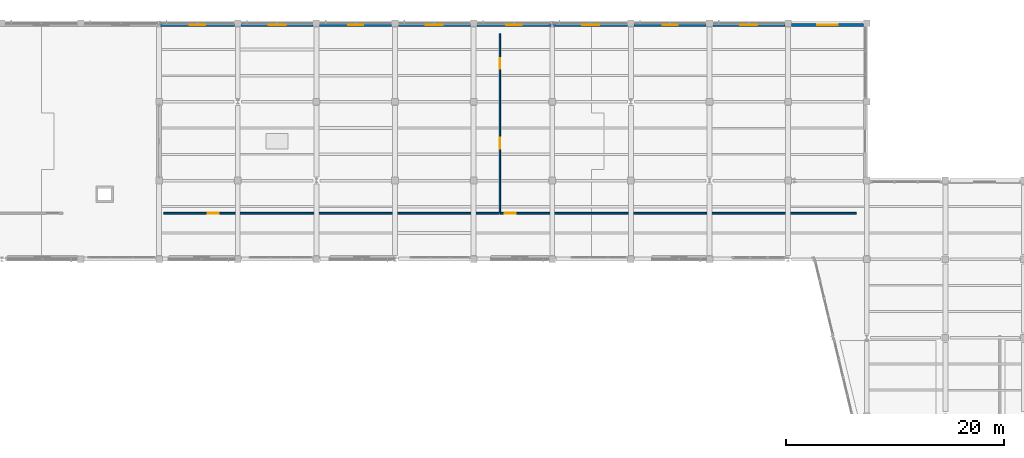
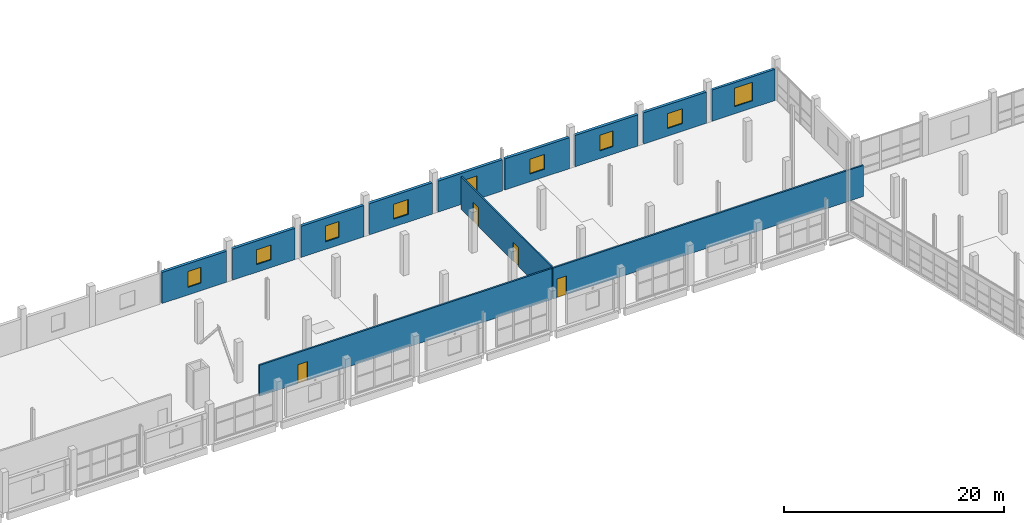
# One storey, part 96 of 123: 12 walls, 9 windows, 4 doors, 13 openings.
"""IFC4 building model written with IfcOpenShell, lengths in metres."""

import ifcopenshell
import ifcopenshell.guid

model = None  # the IFC model being written
_history = None  # IfcOwnerHistory: only IFC2X3 demands one
_inside = {}  # id of a spatial element -> (the spatial element, [elements in it])
_under = {}  # id of a project, library or spatial element -> (it, [spatial elements below it])
_declared = {}  # id of a project -> (the project, [libraries it declares])
_typed = {}  # id of a type object -> (the type object, [elements of that type])
_made_of = {}  # id of a material, layer set ... -> (it, [elements and type objects made of it])


def new_model(schema):
    """Start an empty IFC model of exactly this schema.

    Asked for "IFC4X3", IfcOpenShell would pick the latest addendum, in which some entities
    have other attributes; the version numbers below select the first issue.
    IFC2X3 requires an IfcOwnerHistory on every rooted entity: one is made here for all.
    """
    global model, _history
    if schema == "IFC4X3":
        model = ifcopenshell.file(schema_version=(4, 3, 0, 0))
    else:
        model = ifcopenshell.file(schema=schema)
    _inside.clear()
    _under.clear()
    _declared.clear()
    _typed.clear()
    _made_of.clear()
    _history = None
    if model.schema == "IFC2X3":
        org = make("IfcOrganization", Name="unknown")
        user = make(
            "IfcPersonAndOrganization",
            ThePerson=make("IfcPerson", FamilyName="unknown"),
            TheOrganization=org,
        )
        app = make(
            "IfcApplication",
            ApplicationDeveloper=org,
            Version="unknown",
            ApplicationFullName="unknown",
            ApplicationIdentifier="unknown",
        )
        _history = make(
            "IfcOwnerHistory",
            OwningUser=user,
            OwningApplication=app,
            ChangeAction="ADDED",
            CreationDate=0,
        )
    return model


def make(cls, **values):
    """One entity of the class cls with the attributes given. An attribute that is None is left unset."""
    return model.create_entity(
        cls, **{name: value for name, value in values.items() if value is not None}
    )


def rooted(cls, **values):
    """An entity with a GlobalId (a new one), such as an element, a storey or a relation."""
    return make(cls, GlobalId=ifcopenshell.guid.new(), OwnerHistory=_history, **values)


def si_unit(unit_type, name, prefix=None):
    """IfcSIUnit, for example si_unit("LENGTHUNIT", "METRE", prefix="MILLI")."""
    return make("IfcSIUnit", UnitType=unit_type, Prefix=prefix, Name=name)


def assignment(units):
    """IfcUnitAssignment: the units of a project."""
    return None if units is None else make("IfcUnitAssignment", Units=units)


def point(xyz):
    """IfcCartesianPoint."""
    return None if xyz is None else make("IfcCartesianPoint", Coordinates=xyz)


def direction(xyz):
    """IfcDirection."""
    return None if xyz is None else make("IfcDirection", DirectionRatios=xyz)


def frame(location, z_axis=None, x_axis=None):
    """IfcAxis2Placement3D, a coordinate frame: its origin and axes. An axis left out is left unset."""
    return make(
        "IfcAxis2Placement3D",
        Location=point(location),
        Axis=direction(z_axis),
        RefDirection=direction(x_axis),
    )


def frame_2d(location, x_axis=None):
    """IfcAxis2Placement2D, a coordinate frame in the plane: its origin and x axis."""
    return make(
        "IfcAxis2Placement2D", Location=point(location), RefDirection=direction(x_axis)
    )


def origin():
    """The frame at (0, 0, 0) with its axes left unset."""
    return frame((0.0, 0.0, 0.0))


def place(relative_to, where):
    """IfcLocalPlacement: puts the frame where relative to a parent placement (None: the world)."""
    return make(
        "IfcLocalPlacement", PlacementRelTo=relative_to, RelativePlacement=where
    )


def context(
    kind, dimensions, precision=None, world=None, true_north=None, identifier=None
):
    """IfcGeometricRepresentationContext, for example the 3D "Model" context."""
    return make(
        "IfcGeometricRepresentationContext",
        ContextIdentifier=identifier,
        ContextType=kind,
        CoordinateSpaceDimension=dimensions,
        Precision=precision,
        WorldCoordinateSystem=world,
        TrueNorth=true_north,
    )


def subcontext(parent, identifier, kind, view, scale=None):
    """IfcGeometricRepresentationSubContext, for example "Body" below "Model"."""
    return make(
        "IfcGeometricRepresentationSubContext",
        ContextIdentifier=identifier,
        ContextType=kind,
        ParentContext=parent,
        TargetScale=scale,
        TargetView=view,
    )


def project(units=None, contexts=None):
    """IfcProject with its units and contexts."""
    return rooted(
        "IfcProject",
        Name="project",
        RepresentationContexts=contexts,
        UnitsInContext=assignment(units),
    )


def spatial(cls, under=None, at=None, **own):
    """A site, building, storey or space (cls), placed at a placement, below another one or the project."""
    s = rooted(cls, ObjectPlacement=at, **own)
    if under is not None:
        _under.setdefault(under.id(), (under, []))[1].append(s)
    return s


def profile(cls, at=None, kind="AREA", **sizes):
    """A parametric profile (cls). Its sizes go by their IFC names, for example OverallWidth=200.0."""
    return make(cls, ProfileType=kind, Position=at, **sizes)


def rectangle(**sizes):
    """IfcRectangleProfileDef."""
    return profile("IfcRectangleProfileDef", **sizes)


def extrude(swept, where, along, depth):
    """IfcExtrudedAreaSolid: the profile swept, set in the frame where, extruded along a direction by depth."""
    return make(
        "IfcExtrudedAreaSolid",
        SweptArea=swept,
        Position=where,
        ExtrudedDirection=direction(along),
        Depth=depth,
    )


def shape(context_of_items, identifier, shape_type, items):
    """IfcShapeRepresentation: the items that make up one representation, for example the "Body"."""
    return make(
        "IfcShapeRepresentation",
        ContextOfItems=context_of_items,
        RepresentationIdentifier=identifier,
        RepresentationType=shape_type,
        Items=items,
    )


def material(Name=None, Category=None):
    """IfcMaterial."""
    return make("IfcMaterial", Name=Name, Category=Category)


def layer(
    of_material, thickness, ventilated=None, Name=None, Category=None, Priority=None
):
    """IfcMaterialLayer: one layer of a wall or slab, of a material (None: an air gap)."""
    return make(
        "IfcMaterialLayer",
        Material=of_material,
        LayerThickness=thickness,
        IsVentilated=ventilated,
        Name=Name,
        Category=Category,
        Priority=Priority,
    )


def layer_set(layers, Name=None):
    """IfcMaterialLayerSet."""
    return make("IfcMaterialLayerSet", MaterialLayers=layers, LayerSetName=Name)


def made_of(thing, what):
    """Note that an element or type object is made of a material, layer set ...; save() writes the relation."""
    if what is not None:
        _made_of.setdefault(what.id(), (what, []))[1].append(thing)
    return thing


def type_object(cls, material=None, **own):
    """A type object (cls), such as IfcWallType, which elements share."""
    return made_of(rooted(cls, **own), material)


def element(
    cls,
    number,
    at=None,
    inside=None,
    cuts=None,
    type_object=None,
    material=None,
    context=None,
    identifier="Body",
    shape_type=None,
    held_by="IfcProductDefinitionShape",
    body=None,
    shapes=None,
    **own,
):
    """One element of the class cls, such as IfcWall. Its Tag is "e" and its number.

    at: its placement. inside: the storey or other place that contains it. cuts: it is an
    opening in that element (IfcRelVoidsElement). A single representation is given by context,
    identifier, shape_type and body (its items); several are given by shapes. held_by: the class
    of the entity that holds the representations. save() writes the other relations.
    """
    e = rooted(cls, Tag="e%d" % number, ObjectPlacement=at, **own)
    if body is not None:
        shapes = [shape(context, identifier, shape_type, body)]
    if shapes is not None:
        e.Representation = make(held_by, Representations=shapes)
    if inside is not None:
        _inside.setdefault(inside.id(), (inside, []))[1].append(e)
    if cuts is not None:
        rooted(
            "IfcRelVoidsElement", RelatingBuildingElement=cuts, RelatedOpeningElement=e
        )
    if type_object is not None:
        _typed.setdefault(type_object.id(), (type_object, []))[1].append(e)
    return made_of(e, material)


def fill(opening, filler):
    """IfcRelFillsElement: the door or window that sits in an opening."""
    return rooted(
        "IfcRelFillsElement",
        RelatingOpeningElement=opening,
        RelatedBuildingElement=filler,
    )


def aggregate(whole, parts):
    """IfcRelAggregates: a whole, such as a stair, and the parts it consists of."""
    return rooted("IfcRelAggregates", RelatingObject=whole, RelatedObjects=parts)


def save(model, path):
    """Write the relations noted so far, then the file.

    IfcRelAggregates (storeys below a building ...), IfcRelContainedInSpatialStructure (elements
    in a storey), IfcRelDefinesByType, IfcRelAssociatesMaterial and IfcRelDeclares: one each for
    every whole, place, type object, material and project.
    """
    for whole, parts in _under.values():
        aggregate(whole, parts)
    for where, things in _inside.values():
        rooted(
            "IfcRelContainedInSpatialStructure",
            RelatedElements=things,
            RelatingStructure=where,
        )
    for kind, things in _typed.values():
        rooted("IfcRelDefinesByType", RelatedObjects=things, RelatingType=kind)
    for what, things in _made_of.values():
        rooted("IfcRelAssociatesMaterial", RelatedObjects=things, RelatingMaterial=what)
    for by, libraries in _declared.values():
        rooted("IfcRelDeclares", RelatingContext=by, RelatedDefinitions=libraries)
    model.write(path)


model = new_model("IFC4")

# Units and contexts
model_context = context("Model", 3, precision=1e-05, world=origin(), true_north=direction((0.0, 1.0)))
body_context = subcontext(model_context, "Body", "Model", "MODEL_VIEW")
ifc_project = project(units=[si_unit("LENGTHUNIT", "METRE"), si_unit("AREAUNIT", "SQUARE_METRE"), si_unit("VOLUMEUNIT", "CUBIC_METRE"), si_unit("PLANEANGLEUNIT", "RADIAN"), si_unit("MASSUNIT", "GRAM", prefix="KILO")], contexts=[model_context])

# Site, building, storey
site_placement = place(None, origin())
site = spatial("IfcSite", under=ifc_project, at=site_placement, CompositionType="ELEMENT")
building_placement = place(site_placement, origin())
building = spatial("IfcBuilding", under=site, at=building_placement, Name="Kalmorath City Hall", CompositionType="ELEMENT")
storey_placement = place(building_placement, frame((0.0, 0.0, 10.199951171875)))
storey = spatial("IfcBuildingStorey", under=building, at=storey_placement, Name="L02", CompositionType="ELEMENT", Elevation=10.199951171875)

# Wall, openings, doors
ifc_material_1 = material(Name="Acoustic metal-stud gypsum partition")
ifc_layer_1 = layer(ifc_material_1, 0.14990234375)
ifc_layer_set_1 = layer_set([ifc_layer_1], Name="Acoustic metal-stud gypsum partition")
wall_type_1 = type_object("IfcWallType", Name="Departmental suite partition 150", PredefinedType="PARTITIONING", material=ifc_layer_set_1)
wall_1_placement = place(storey_placement, frame((96.0, 97.840087890625, 0.0), z_axis=(0.0, 0.0, 1.0), x_axis=(0.0, 1.0, 0.0)))
wall_1 = element("IfcWall", 1, at=wall_1_placement, inside=storey, type_object=wall_type_1, Name="L02 interior partition PW4 #121", PredefinedType="PARTITIONING", context=body_context, shape_type="SweptSolid", body=[
    extrude(rectangle(XDim=16.419921875, YDim=0.14990234375, at=frame_2d((8.2099609375, 0.0))), origin(), (0.0, 0.0, 1.0), 3.6181640625),
])
opening_1_placement = place(wall_1_placement, frame((13.177490234375, 0.0, 0.0)))
opening_1 = element("IfcOpeningElement", 2, at=opening_1_placement, cuts=wall_1, Name="Opening D-L02-202", PredefinedType="OPENING", context=body_context, shape_type="SweptSolid", body=[
    extrude(rectangle(XDim=1.0, YDim=2.10009765625, at=frame_2d((0.5, 1.050048828125))), frame((0.0, 0.0849609375, 0.0), z_axis=(0.0, -1.0, 0.0), x_axis=(1.0, 0.0, 0.0)), (0.0, 0.0, 1.0), 0.169921875),
])
opening_2_placement = place(wall_1_placement, frame((5.887451171875, 0.0, 0.0)))
opening_2 = element("IfcOpeningElement", 3, at=opening_2_placement, cuts=wall_1, Name="Opening D-L02-204", PredefinedType="OPENING", context=body_context, shape_type="SweptSolid", body=[
    extrude(rectangle(XDim=1.0, YDim=2.10009765625, at=frame_2d((0.5, 1.050048828125))), frame((0.0, 0.0849609375, 0.0), z_axis=(0.0, -1.0, 0.0), x_axis=(1.0, 0.0, 0.0)), (0.0, 0.0, 1.0), 0.169921875),
])
ifc_material_2 = material(Name="Hardwood fire door", Category="wood")
door_type = type_object("IfcDoorType", Name="Corridor 60-min fire door 1000x2100", OperationType="NOTDEFINED", PredefinedType="DOOR", material=ifc_material_2)
door_1_placement = place(opening_1_placement, origin())
door_1 = element("IfcDoor", 4, at=door_1_placement, inside=storey, type_object=door_type, Name="L02 door D-L02-202", OperationType="SINGLE_SWING_RIGHT", OverallHeight=2.10009765625, OverallWidth=1.0, PredefinedType="DOOR", context=body_context, shape_type="SweptSolid", body=[
    extrude(rectangle(XDim=1.0, YDim=2.10009765625, at=frame_2d((0.5, 1.050048828125))), frame((0.0, 0.02490234375, 0.0), z_axis=(0.0, -1.0, 0.0), x_axis=(1.0, 0.0, 0.0)), (0.0, 0.0, 1.0), 0.050048828125),
])
fill(opening_1, door_1)
door_2_placement = place(opening_2_placement, origin())
door_2 = element("IfcDoor", 5, at=door_2_placement, inside=storey, type_object=door_type, Name="L02 door D-L02-204", OperationType="SINGLE_SWING_RIGHT", OverallHeight=2.10009765625, OverallWidth=1.0, PredefinedType="DOOR", context=body_context, shape_type="SweptSolid", body=[
    extrude(rectangle(XDim=1.0, YDim=2.10009765625, at=frame_2d((0.5, 1.050048828125))), frame((0.0, 0.02490234375, 0.0), z_axis=(0.0, -1.0, 0.0), x_axis=(1.0, 0.0, 0.0)), (0.0, 0.0, 1.0), 0.050048828125),
])
fill(opening_2, door_2)

# Wall, opening, window
ifc_material_3 = material(Name="Precast concrete C40/50", Category="concrete")
ifc_layer_2 = layer(ifc_material_3, 0.27001953125)
ifc_layer_set_2 = layer_set([ifc_layer_2], Name="Precast concrete C40/50")
wall_type_2 = type_object("IfcWallType", Name="Library splayed facade wall 270", PredefinedType="SOLIDWALL", material=ifc_layer_set_2)
wall_2_placement = place(storey_placement, frame((122.700927734375, 115.0400390625, 0.0), z_axis=(0.0, 0.0, 1.0), x_axis=(1.0, 0.0, 0.0)))
wall_2 = element("IfcWall", 6, at=wall_2_placement, inside=storey, type_object=wall_type_2, Name="L02 library wall #445", PredefinedType="SOLIDWALL", context=body_context, shape_type="SweptSolid", body=[
    extrude(rectangle(XDim=6.59814453125, YDim=0.27001953125, at=frame_2d((3.299072265625, 0.0))), origin(), (0.0, 0.0, 1.0), 3.470947265625),
])
opening_3_placement = place(wall_2_placement, frame((2.34912109375, 0.0, 0.800048828125)))
opening_3 = element("IfcOpeningElement", 7, at=opening_3_placement, cuts=wall_2, Name="Opening WN14", PredefinedType="OPENING", context=body_context, shape_type="SweptSolid", body=[
    extrude(rectangle(XDim=1.89990234375, YDim=2.050048828125, at=frame_2d((0.949951171875, 1.02490234375))), frame((0.0, 0.14501953125, 0.0), z_axis=(0.0, -1.0, 0.0), x_axis=(1.0, 0.0, 0.0)), (0.0, 0.0, 1.0), 0.2900390625),
])
ifc_material_4 = material(Name="Bronze-anodised aluminium and glass", Category="aluminium")
window_type_1 = type_object("IfcWindowType", Name="Library reading alcove window 1900x2050", PartitioningType="SINGLE_PANEL", PredefinedType="WINDOW", material=ifc_material_4)
window_1_placement = place(opening_3_placement, origin())
window_1 = element("IfcWindow", 8, at=window_1_placement, inside=storey, type_object=window_type_1, Name="L02 window WN14-220", OverallHeight=2.050048828125, OverallWidth=1.89990234375, PartitioningType="SINGLE_PANEL", PredefinedType="WINDOW", context=body_context, shape_type="SweptSolid", body=[
    extrude(rectangle(XDim=1.89990234375, YDim=2.050048828125, at=frame_2d((0.949951171875, 1.02490234375))), frame((0.0, 0.030029296875, 0.0), z_axis=(0.0, -1.0, 0.0), x_axis=(1.0, 0.0, 0.0)), (0.0, 0.0, 1.0), 0.06005859375),
])
fill(opening_3, window_1)

# Wall, opening, door
ifc_material_5 = material(Name="Fire-rated acoustic gypsum partition")
ifc_layer_3 = layer(ifc_material_5, 0.179931640625)
ifc_layer_set_3 = layer_set([ifc_layer_3], Name="Fire-rated acoustic gypsum partition")
wall_type_3 = type_object("IfcWallType", Name="One-hour corridor fire partition 180", PredefinedType="PARTITIONING", material=ifc_layer_set_3)
wall_3_placement = place(storey_placement, frame((65.239990234375, 97.800048828125, 0.0), z_axis=(0.0, 0.0, 1.0), x_axis=(1.0, 0.0, 0.0)))
wall_3 = element("IfcWall", 9, at=wall_3_placement, inside=storey, type_object=wall_type_3, Name="L02 interior partition PW2 #116", PredefinedType="PARTITIONING", context=body_context, shape_type="SweptSolid", body=[
    extrude(rectangle(XDim=30.719970703125, YDim=0.179931640625, at=frame_2d((15.35986328125, 0.0))), origin(), (0.0, 0.0, 1.0), 3.450927734375),
])
opening_4_placement = place(wall_3_placement, frame((4.030029296875, 0.0, 0.0)))
opening_4 = element("IfcOpeningElement", 10, at=opening_4_placement, cuts=wall_3, Name="Opening D-L02-201", PredefinedType="OPENING", context=body_context, shape_type="SweptSolid", body=[
    extrude(rectangle(XDim=1.0, YDim=2.10009765625, at=frame_2d((0.5, 1.050048828125))), frame((0.0, 0.099853515625, 0.0), z_axis=(0.0, -1.0, 0.0), x_axis=(1.0, 0.0, 0.0)), (0.0, 0.0, 1.0), 0.199951171875),
])
door_3_placement = place(opening_4_placement, origin())
door_3 = element("IfcDoor", 11, at=door_3_placement, inside=storey, type_object=door_type, Name="L02 door D-L02-201", OperationType="SINGLE_SWING_LEFT", OverallHeight=2.10009765625, OverallWidth=1.0, PredefinedType="DOOR", context=body_context, shape_type="SweptSolid", body=[
    extrude(rectangle(XDim=1.0, YDim=2.10009765625, at=frame_2d((0.5, 1.050048828125))), frame((0.0, 0.02490234375, 0.0), z_axis=(0.0, -1.0, 0.0), x_axis=(1.0, 0.0, 0.0)), (0.0, 0.0, 1.0), 0.050048828125),
])
fill(opening_4, door_3)

wall_4_placement = place(storey_placement, frame((96.0400390625, 97.800048828125, 0.0), z_axis=(0.0, 0.0, 1.0), x_axis=(1.0, 0.0, 0.0)))
wall_4 = element("IfcWall", 12, at=wall_4_placement, inside=storey, type_object=wall_type_3, Name="L02 interior partition PW2 #117", PredefinedType="PARTITIONING", context=body_context, shape_type="SweptSolid", body=[
    extrude(rectangle(XDim=32.619873046875, YDim=0.179931640625, at=frame_2d((16.31005859375, 0.0))), origin(), (0.0, 0.0, 1.0), 3.450927734375),
])
opening_5_placement = place(wall_4_placement, frame((0.419921875, 0.0, 0.0)))
opening_5 = element("IfcOpeningElement", 13, at=opening_5_placement, cuts=wall_4, Name="Opening D-L02-203", PredefinedType="OPENING", context=body_context, shape_type="SweptSolid", body=[
    extrude(rectangle(XDim=1.0, YDim=2.10009765625, at=frame_2d((0.5, 1.050048828125))), frame((0.0, 0.099853515625, 0.0), z_axis=(0.0, -1.0, 0.0), x_axis=(1.0, 0.0, 0.0)), (0.0, 0.0, 1.0), 0.199951171875),
])
door_4_placement = place(opening_5_placement, origin())
door_4 = element("IfcDoor", 14, at=door_4_placement, inside=storey, type_object=door_type, Name="L02 door D-L02-203", OperationType="SINGLE_SWING_LEFT", OverallHeight=2.10009765625, OverallWidth=1.0, PredefinedType="DOOR", context=body_context, shape_type="SweptSolid", body=[
    extrude(rectangle(XDim=1.0, YDim=2.10009765625, at=frame_2d((0.5, 1.050048828125))), frame((0.0, 0.02490234375, 0.0), z_axis=(0.0, -1.0, 0.0), x_axis=(1.0, 0.0, 0.0)), (0.0, 0.0, 1.0), 0.050048828125),
])
fill(opening_5, door_4)

# Wall, opening, window
ifc_material_6 = material(Name="Concrete C40/50", Category="concrete")
ifc_layer_4 = layer(ifc_material_6, 0.300048828125)
ifc_layer_set_4 = layer_set([ifc_layer_4], Name="Concrete C40/50")
wall_type_4 = type_object("IfcWallType", Name="Volcanic basalt backup wall 300", PredefinedType="SOLIDWALL", material=ifc_layer_set_4)
wall_5_placement = place(storey_placement, frame((64.927978515625, 115.0400390625, 0.0), z_axis=(0.0, 0.0, 1.0), x_axis=(1.0, 0.0, 0.0)))
wall_5 = element("IfcWall", 15, at=wall_5_placement, inside=storey, type_object=wall_type_4, Name="L02 basalt wing wall #437", PredefinedType="SOLIDWALL", context=body_context, shape_type="SweptSolid", body=[
    extrude(rectangle(XDim=6.77099609375, YDim=0.300048828125, at=frame_2d((3.385498046875, 0.0))), origin(), (0.0, 0.0, 1.0), 3.450927734375),
])
opening_6_placement = place(wall_5_placement, frame((2.685546875, 0.0, 0.85009765625)))
opening_6 = element("IfcOpeningElement", 16, at=opening_6_placement, cuts=wall_5, Name="Opening WN11", PredefinedType="OPENING", context=body_context, shape_type="SweptSolid", body=[
    extrude(rectangle(XDim=1.39990234375, YDim=1.75, at=frame_2d((0.699951171875, 0.875))), frame((0.0, 0.159912109375, 0.0), z_axis=(0.0, -1.0, 0.0), x_axis=(1.0, 0.0, 0.0)), (0.0, 0.0, 1.0), 0.320068359375),
])
ifc_material_7 = material(Name="Bronze-anodised aluminium and glass", Category="aluminium")
window_type_2 = type_object("IfcWindowType", Name="Basalt north study window 1400x1750", PartitioningType="SINGLE_PANEL", PredefinedType="WINDOW", material=ifc_material_7)
window_2_placement = place(opening_6_placement, origin())
window_2 = element("IfcWindow", 17, at=window_2_placement, inside=storey, type_object=window_type_2, Name="L02 window WN11-212", OverallHeight=1.75, OverallWidth=1.39990234375, PartitioningType="SINGLE_PANEL", PredefinedType="WINDOW", context=body_context, shape_type="SweptSolid", body=[
    extrude(rectangle(XDim=1.39990234375, YDim=1.75, at=frame_2d((0.699951171875, 0.875))), frame((0.0, 0.030029296875, 0.0), z_axis=(0.0, -1.0, 0.0), x_axis=(1.0, 0.0, 0.0)), (0.0, 0.0, 1.0), 0.06005859375),
])
fill(opening_6, window_2)

wall_6_placement = place(storey_placement, frame((72.301025390625, 115.0400390625, 0.0), z_axis=(0.0, 0.0, 1.0), x_axis=(1.0, 0.0, 0.0)))
wall_6 = element("IfcWall", 18, at=wall_6_placement, inside=storey, type_object=wall_type_4, Name="L02 basalt wing wall #438", PredefinedType="SOLIDWALL", context=body_context, shape_type="SweptSolid", body=[
    extrude(rectangle(XDim=6.597900390625, YDim=0.300048828125, at=frame_2d((3.298828125, 0.0))), origin(), (0.0, 0.0, 1.0), 3.470947265625),
])
opening_7_placement = place(wall_6_placement, frame((2.52392578125, 0.0, 0.85009765625)))
opening_7 = element("IfcOpeningElement", 19, at=opening_7_placement, cuts=wall_6, Name="Opening WN10", PredefinedType="OPENING", context=body_context, shape_type="SweptSolid", body=[
    extrude(rectangle(XDim=1.550048828125, YDim=1.64990234375, at=frame_2d((0.77490234375, 0.824951171875))), frame((0.0, 0.159912109375, 0.0), z_axis=(0.0, -1.0, 0.0), x_axis=(1.0, 0.0, 0.0)), (0.0, 0.0, 1.0), 0.320068359375),
])
ifc_material_8 = material(Name="Bronze-anodised aluminium and glass", Category="aluminium")
window_type_3 = type_object("IfcWindowType", Name="Basalt upper window 1550x1650", PartitioningType="SINGLE_PANEL", PredefinedType="WINDOW", material=ifc_material_8)
window_3_placement = place(opening_7_placement, origin())
window_3 = element("IfcWindow", 20, at=window_3_placement, inside=storey, type_object=window_type_3, Name="L02 window WN10-213", OverallHeight=1.64990234375, OverallWidth=1.550048828125, PartitioningType="SINGLE_PANEL", PredefinedType="WINDOW", context=body_context, shape_type="SweptSolid", body=[
    extrude(rectangle(XDim=1.550048828125, YDim=1.64990234375, at=frame_2d((0.77490234375, 0.824951171875))), frame((0.0, 0.030029296875, 0.0), z_axis=(0.0, -1.0, 0.0), x_axis=(1.0, 0.0, 0.0)), (0.0, 0.0, 1.0), 0.06005859375),
])
fill(opening_7, window_3)

wall_7_placement = place(storey_placement, frame((79.5009765625, 115.0400390625, 0.0), z_axis=(0.0, 0.0, 1.0), x_axis=(1.0, 0.0, 0.0)))
wall_7 = element("IfcWall", 21, at=wall_7_placement, inside=storey, type_object=wall_type_4, Name="L02 basalt wing wall #439", PredefinedType="SOLIDWALL", context=body_context, shape_type="SweptSolid", body=[
    extrude(rectangle(XDim=6.59814453125, YDim=0.300048828125, at=frame_2d((3.299072265625, 0.0))), origin(), (0.0, 0.0, 1.0), 3.470947265625),
])
opening_8_placement = place(wall_7_placement, frame((2.59912109375, 0.0, 0.85009765625)))
opening_8 = element("IfcOpeningElement", 22, at=opening_8_placement, cuts=wall_7, Name="Opening WN11", PredefinedType="OPENING", context=body_context, shape_type="SweptSolid", body=[
    extrude(rectangle(XDim=1.39990234375, YDim=1.75, at=frame_2d((0.699951171875, 0.875))), frame((0.0, 0.159912109375, 0.0), z_axis=(0.0, -1.0, 0.0), x_axis=(1.0, 0.0, 0.0)), (0.0, 0.0, 1.0), 0.320068359375),
])
window_4_placement = place(opening_8_placement, origin())
window_4 = element("IfcWindow", 23, at=window_4_placement, inside=storey, type_object=window_type_2, Name="L02 window WN11-214", OverallHeight=1.75, OverallWidth=1.39990234375, PartitioningType="SINGLE_PANEL", PredefinedType="WINDOW", context=body_context, shape_type="SweptSolid", body=[
    extrude(rectangle(XDim=1.39990234375, YDim=1.75, at=frame_2d((0.699951171875, 0.875))), frame((0.0, 0.030029296875, 0.0), z_axis=(0.0, -1.0, 0.0), x_axis=(1.0, 0.0, 0.0)), (0.0, 0.0, 1.0), 0.06005859375),
])
fill(opening_8, window_4)

wall_8_placement = place(storey_placement, frame((86.700927734375, 115.0400390625, 0.0), z_axis=(0.0, 0.0, 1.0), x_axis=(1.0, 0.0, 0.0)))
wall_8 = element("IfcWall", 24, at=wall_8_placement, inside=storey, type_object=wall_type_4, Name="L02 basalt wing wall #440", PredefinedType="SOLIDWALL", context=body_context, shape_type="SweptSolid", body=[
    extrude(rectangle(XDim=6.59814453125, YDim=0.300048828125, at=frame_2d((3.299072265625, 0.0))), origin(), (0.0, 0.0, 1.0), 3.470947265625),
])
opening_9_placement = place(wall_8_placement, frame((2.52392578125, 0.0, 0.85009765625)))
opening_9 = element("IfcOpeningElement", 25, at=opening_9_placement, cuts=wall_8, Name="Opening WN10", PredefinedType="OPENING", context=body_context, shape_type="SweptSolid", body=[
    extrude(rectangle(XDim=1.550048828125, YDim=1.64990234375, at=frame_2d((0.77490234375, 0.824951171875))), frame((0.0, 0.159912109375, 0.0), z_axis=(0.0, -1.0, 0.0), x_axis=(1.0, 0.0, 0.0)), (0.0, 0.0, 1.0), 0.320068359375),
])
window_5_placement = place(opening_9_placement, origin())
window_5 = element("IfcWindow", 26, at=window_5_placement, inside=storey, type_object=window_type_3, Name="L02 window WN10-215", OverallHeight=1.64990234375, OverallWidth=1.550048828125, PartitioningType="SINGLE_PANEL", PredefinedType="WINDOW", context=body_context, shape_type="SweptSolid", body=[
    extrude(rectangle(XDim=1.550048828125, YDim=1.64990234375, at=frame_2d((0.77490234375, 0.824951171875))), frame((0.0, 0.030029296875, 0.0), z_axis=(0.0, -1.0, 0.0), x_axis=(1.0, 0.0, 0.0)), (0.0, 0.0, 1.0), 0.06005859375),
])
fill(opening_9, window_5)

wall_9_placement = place(storey_placement, frame((93.90087890625, 115.0400390625, 0.0), z_axis=(0.0, 0.0, 1.0), x_axis=(1.0, 0.0, 0.0)))
wall_9 = element("IfcWall", 27, at=wall_9_placement, inside=storey, type_object=wall_type_4, Name="L02 basalt wing wall #441", PredefinedType="SOLIDWALL", context=body_context, shape_type="SweptSolid", body=[
    extrude(rectangle(XDim=6.771240234375, YDim=0.300048828125, at=frame_2d((3.3857421875, 0.0))), origin(), (0.0, 0.0, 1.0), 3.450927734375),
])
opening_10_placement = place(wall_9_placement, frame((2.685546875, 0.0, 0.85009765625)))
opening_10 = element("IfcOpeningElement", 28, at=opening_10_placement, cuts=wall_9, Name="Opening WN11", PredefinedType="OPENING", context=body_context, shape_type="SweptSolid", body=[
    extrude(rectangle(XDim=1.39990234375, YDim=1.75, at=frame_2d((0.699951171875, 0.875))), frame((0.0, 0.159912109375, 0.0), z_axis=(0.0, -1.0, 0.0), x_axis=(1.0, 0.0, 0.0)), (0.0, 0.0, 1.0), 0.320068359375),
])
window_6_placement = place(opening_10_placement, origin())
window_6 = element("IfcWindow", 29, at=window_6_placement, inside=storey, type_object=window_type_2, Name="L02 window WN11-216", OverallHeight=1.75, OverallWidth=1.39990234375, PartitioningType="SINGLE_PANEL", PredefinedType="WINDOW", context=body_context, shape_type="SweptSolid", body=[
    extrude(rectangle(XDim=1.39990234375, YDim=1.75, at=frame_2d((0.699951171875, 0.875))), frame((0.0, 0.030029296875, 0.0), z_axis=(0.0, -1.0, 0.0), x_axis=(1.0, 0.0, 0.0)), (0.0, 0.0, 1.0), 0.06005859375),
])
fill(opening_10, window_6)

wall_10_placement = place(storey_placement, frame((100.927978515625, 115.0400390625, 0.0), z_axis=(0.0, 0.0, 1.0), x_axis=(1.0, 0.0, 0.0)))
wall_10 = element("IfcWall", 30, at=wall_10_placement, inside=storey, type_object=wall_type_4, Name="L02 basalt wing wall #442", PredefinedType="SOLIDWALL", context=body_context, shape_type="SweptSolid", body=[
    extrude(rectangle(XDim=6.77099609375, YDim=0.300048828125, at=frame_2d((3.385498046875, 0.0))), origin(), (0.0, 0.0, 1.0), 3.450927734375),
])
opening_11_placement = place(wall_10_placement, frame((2.610595703125, 0.0, 0.85009765625)))
opening_11 = element("IfcOpeningElement", 31, at=opening_11_placement, cuts=wall_10, Name="Opening WN10", PredefinedType="OPENING", context=body_context, shape_type="SweptSolid", body=[
    extrude(rectangle(XDim=1.550048828125, YDim=1.64990234375, at=frame_2d((0.77490234375, 0.824951171875))), frame((0.0, 0.159912109375, 0.0), z_axis=(0.0, -1.0, 0.0), x_axis=(1.0, 0.0, 0.0)), (0.0, 0.0, 1.0), 0.320068359375),
])
window_7_placement = place(opening_11_placement, origin())
window_7 = element("IfcWindow", 32, at=window_7_placement, inside=storey, type_object=window_type_3, Name="L02 window WN10-217", OverallHeight=1.64990234375, OverallWidth=1.550048828125, PartitioningType="SINGLE_PANEL", PredefinedType="WINDOW", context=body_context, shape_type="SweptSolid", body=[
    extrude(rectangle(XDim=1.550048828125, YDim=1.64990234375, at=frame_2d((0.77490234375, 0.824951171875))), frame((0.0, 0.030029296875, 0.0), z_axis=(0.0, -1.0, 0.0), x_axis=(1.0, 0.0, 0.0)), (0.0, 0.0, 1.0), 0.06005859375),
])
fill(opening_11, window_7)

wall_11_placement = place(storey_placement, frame((108.301025390625, 115.0400390625, 0.0), z_axis=(0.0, 0.0, 1.0), x_axis=(1.0, 0.0, 0.0)))
wall_11 = element("IfcWall", 33, at=wall_11_placement, inside=storey, type_object=wall_type_4, Name="L02 basalt wing wall #443", PredefinedType="SOLIDWALL", context=body_context, shape_type="SweptSolid", body=[
    extrude(rectangle(XDim=6.597900390625, YDim=0.300048828125, at=frame_2d((3.298828125, 0.0))), origin(), (0.0, 0.0, 1.0), 3.470947265625),
])
opening_12_placement = place(wall_11_placement, frame((2.59912109375, 0.0, 0.85009765625)))
opening_12 = element("IfcOpeningElement", 34, at=opening_12_placement, cuts=wall_11, Name="Opening WN11", PredefinedType="OPENING", context=body_context, shape_type="SweptSolid", body=[
    extrude(rectangle(XDim=1.39990234375, YDim=1.75, at=frame_2d((0.699951171875, 0.875))), frame((0.0, 0.159912109375, 0.0), z_axis=(0.0, -1.0, 0.0), x_axis=(1.0, 0.0, 0.0)), (0.0, 0.0, 1.0), 0.320068359375),
])
window_8_placement = place(opening_12_placement, origin())
window_8 = element("IfcWindow", 35, at=window_8_placement, inside=storey, type_object=window_type_2, Name="L02 window WN11-218", OverallHeight=1.75, OverallWidth=1.39990234375, PartitioningType="SINGLE_PANEL", PredefinedType="WINDOW", context=body_context, shape_type="SweptSolid", body=[
    extrude(rectangle(XDim=1.39990234375, YDim=1.75, at=frame_2d((0.699951171875, 0.875))), frame((0.0, 0.030029296875, 0.0), z_axis=(0.0, -1.0, 0.0), x_axis=(1.0, 0.0, 0.0)), (0.0, 0.0, 1.0), 0.06005859375),
])
fill(opening_12, window_8)

wall_12_placement = place(storey_placement, frame((115.5009765625, 115.0400390625, 0.0), z_axis=(0.0, 0.0, 1.0), x_axis=(1.0, 0.0, 0.0)))
wall_12 = element("IfcWall", 36, at=wall_12_placement, inside=storey, type_object=wall_type_4, Name="L02 basalt wing wall #444", PredefinedType="SOLIDWALL", context=body_context, shape_type="SweptSolid", body=[
    extrude(rectangle(XDim=6.59814453125, YDim=0.300048828125, at=frame_2d((3.299072265625, 0.0))), origin(), (0.0, 0.0, 1.0), 3.470947265625),
])
opening_13_placement = place(wall_12_placement, frame((2.52392578125, 0.0, 0.85009765625)))
opening_13 = element("IfcOpeningElement", 37, at=opening_13_placement, cuts=wall_12, Name="Opening WN10", PredefinedType="OPENING", context=body_context, shape_type="SweptSolid", body=[
    extrude(rectangle(XDim=1.550048828125, YDim=1.64990234375, at=frame_2d((0.77490234375, 0.824951171875))), frame((0.0, 0.159912109375, 0.0), z_axis=(0.0, -1.0, 0.0), x_axis=(1.0, 0.0, 0.0)), (0.0, 0.0, 1.0), 0.320068359375),
])
window_9_placement = place(opening_13_placement, origin())
window_9 = element("IfcWindow", 38, at=window_9_placement, inside=storey, type_object=window_type_3, Name="L02 window WN10-219", OverallHeight=1.64990234375, OverallWidth=1.550048828125, PartitioningType="SINGLE_PANEL", PredefinedType="WINDOW", context=body_context, shape_type="SweptSolid", body=[
    extrude(rectangle(XDim=1.550048828125, YDim=1.64990234375, at=frame_2d((0.77490234375, 0.824951171875))), frame((0.0, 0.030029296875, 0.0), z_axis=(0.0, -1.0, 0.0), x_axis=(1.0, 0.0, 0.0)), (0.0, 0.0, 1.0), 0.06005859375),
])
fill(opening_13, window_9)

save(model, "model.ifc")
